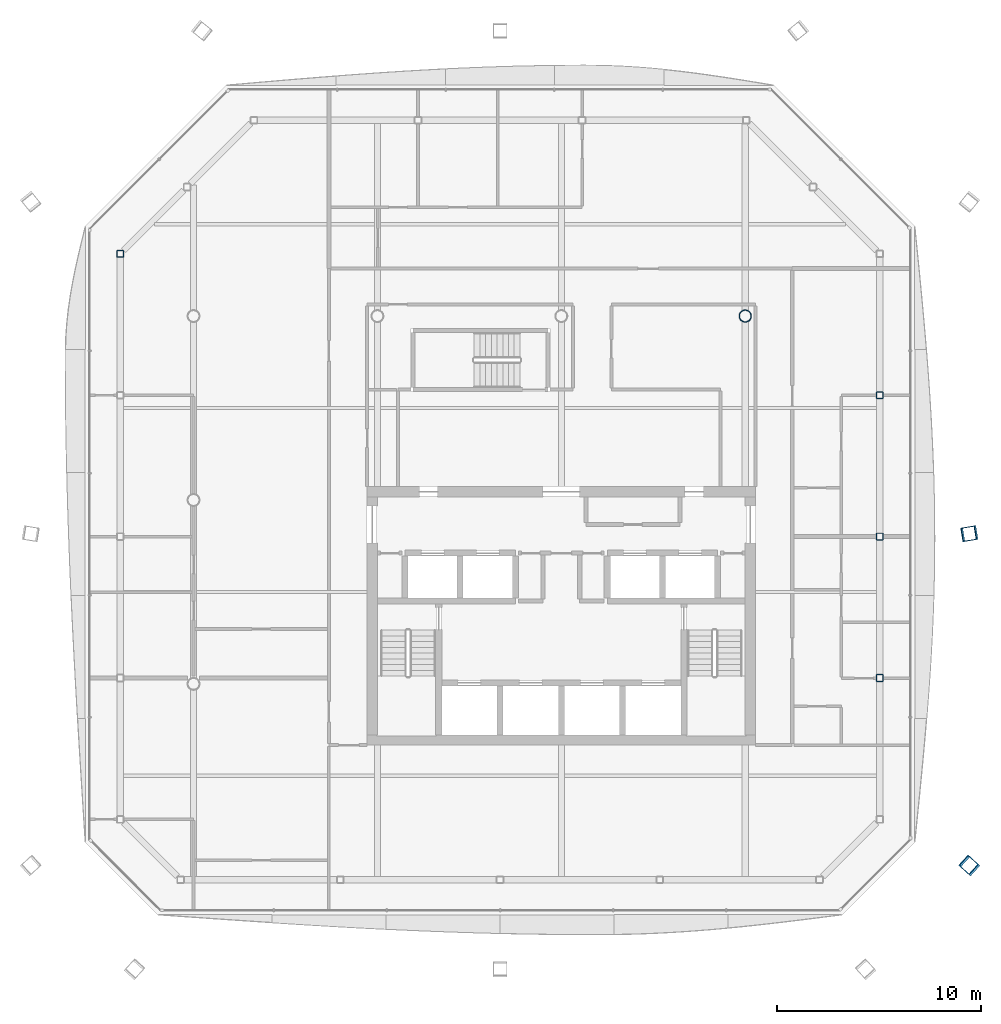
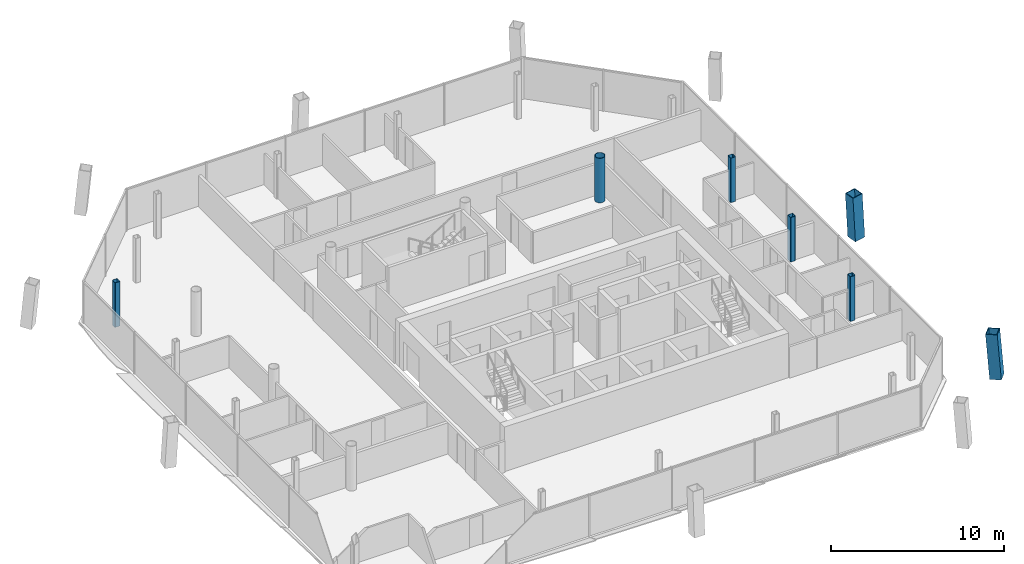
# One storey, part 2 of 20: 7 columns.
"""IFC4 building model written with IfcOpenShell, lengths in metres."""

from ifc_helpers import new_model, si_unit, direction, frame, origin, origin_2d, place, context, subcontext, project, spatial, hollow_rectangle, hollow_circle, extrude, material, material_profile, profile_set, type_object, element, save


model = new_model("IFC4")

# Units and contexts
model_context = context("Model", 3, precision=1e-05, world=origin(), true_north=direction((0.0, 1.0)))
body_context = subcontext(model_context, "Body", "Model", "MODEL_VIEW")
ifc_project = project(units=[si_unit("LENGTHUNIT", "METRE"), si_unit("AREAUNIT", "SQUARE_METRE"), si_unit("VOLUMEUNIT", "CUBIC_METRE"), si_unit("PLANEANGLEUNIT", "RADIAN"), si_unit("MASSUNIT", "GRAM", prefix="KILO")], contexts=[model_context])

# Site, building, storey
site_placement = place(None, origin())
site = spatial("IfcSite", under=ifc_project, at=site_placement, CompositionType="ELEMENT")
building_placement = place(site_placement, origin())
building = spatial("IfcBuilding", under=site, at=building_placement, Name="Tskaro Facet Tower", CompositionType="ELEMENT")
storey_placement = place(building_placement, frame((0.0, 0.0, 194.25)))
storey = spatial("IfcBuildingStorey", under=building, at=storey_placement, Name="L49", CompositionType="ELEMENT", Elevation=194.25)

# Columns
ifc_material_1 = material(Name="Steel S460M", Category="steel")
ifc_material_profile_1 = material_profile(ifc_material_1, hollow_rectangle(XDim=0.699951171875, YDim=0.699951171875, WallThickness=0.044921875, at=origin_2d()), Name="BOX 700x700x45")
ifc_profile_set_1 = profile_set([ifc_material_profile_1], Name="Steel S460M")
column_type_1 = type_object("IfcColumnType", Name="BOX 700x700x45 mega column", PredefinedType="COLUMN", material=ifc_profile_set_1)
column_1_placement = place(storey_placement, frame((19.998046875, -17.91796875, 0.0), z_axis=(-0.057951446548, 0.052851719252, 0.996919417814), x_axis=(-0.673848784787, -0.738869281565, 0.0)))
element("IfcColumn", 1, at=column_1_placement, inside=storey, type_object=column_type_1, Name="BOX 700x700x45 MC04/4", PredefinedType="COLUMN", context=body_context, shape_type="SweptSolid", body=[
    extrude(hollow_rectangle(XDim=0.699951171875, YDim=0.699951171875, WallThickness=0.044921875, at=origin_2d()), origin(), (0.0, 0.0, 1.0), 3.15966796875),
])
column_2_placement = place(storey_placement, frame((19.998046875, -1.64404296875, 0.0), z_axis=(-0.058029926409, -0.009516907931, 0.998269480704), x_axis=(0.161838042552, -0.986817332632, 0.0)))
element("IfcColumn", 2, at=column_2_placement, inside=storey, type_object=column_type_1, Name="BOX 700x700x45 MC05/4", PredefinedType="COLUMN", context=body_context, shape_type="SweptSolid", body=[
    extrude(hollow_rectangle(XDim=0.699951171875, YDim=0.699951171875, WallThickness=0.044921875, at=origin_2d()), origin(), (0.0, 0.0, 1.0), 3.1552734375),
])
ifc_material_2 = material(Name="Steel S355J2H", Category="steel")
ifc_material_profile_2 = material_profile(ifc_material_2, hollow_circle(Radius=0.304931640625, WallThickness=0.030029296875, at=origin_2d()), Name="CHS 610x30")
ifc_profile_set_2 = profile_set([ifc_material_profile_2], Name="Steel S355J2H")
column_type_2 = type_object("IfcColumnType", Name="CHS 610x30 interior column", PredefinedType="COLUMN", material=ifc_profile_set_2)
column_3_placement = place(storey_placement, frame((9.0, 9.0, 0.0), z_axis=(0.0, 0.0, 1.0), x_axis=(1.0, 0.0, 0.0)))
element("IfcColumn", 3, at=column_3_placement, inside=storey, type_object=column_type_2, Name="CHS 610x30 C5E/4", PredefinedType="COLUMN", context=body_context, shape_type="SweptSolid", body=[
    extrude(hollow_circle(Radius=0.304931640625, WallThickness=0.030029296875, at=origin_2d()), origin(), (0.0, 0.0, 1.0), 3.14990234375),
])
ifc_material_profile_3 = material_profile(ifc_material_2, hollow_rectangle(XDim=0.35009765625, YDim=0.35009765625, WallThickness=0.02001953125, InnerFilletRadius=0.030029296875, OuterFilletRadius=0.050048828125, at=origin_2d()), Name="SHS 350x350x20")
ifc_profile_set_3 = profile_set([ifc_material_profile_3], Name="Steel S355J2H")
column_type_3 = type_object("IfcColumnType", Name="SHS 350x350x20 ring column", PredefinedType="COLUMN", material=ifc_profile_set_3)
for number, where, z_axis, x_axis, name in (
    (4, (15.5830078125, -8.712890625, 0.0), (0.0, 0.0, 1.0), (1.0, 0.0, 0.0), "SHS 350x350x20 RE-2/4"),
    (5, (15.5830078125, -1.79296875, 0.0), (0.0, 0.0, 1.0), (1.0, 0.0, 0.0), "SHS 350x350x20 RE-3/4"),
    (6, (15.5830078125, 5.1259765625, 0.0), (0.0, 0.0, 1.0), (1.0, 0.0, 0.0), "SHS 350x350x20 RE-4/4"),
    (7, (-21.5830078125, 12.0458984375, 0.0), (0.0, 0.0, 1.0), (1.0, 0.0, 0.0), "SHS 350x350x20 RW-1/4"),
):
    element("IfcColumn", number, at=place(storey_placement, frame(where, z_axis=z_axis, x_axis=x_axis)), inside=storey, type_object=column_type_3, Name=name, PredefinedType="COLUMN", context=body_context, shape_type="SweptSolid", body=[
        extrude(hollow_rectangle(XDim=0.35009765625, YDim=0.35009765625, WallThickness=0.02001953125, InnerFilletRadius=0.030029296875, OuterFilletRadius=0.050048828125, at=origin_2d()), origin(), (0.0, 0.0, 1.0), 3.14990234375),
    ])

save(model, "model.ifc")
